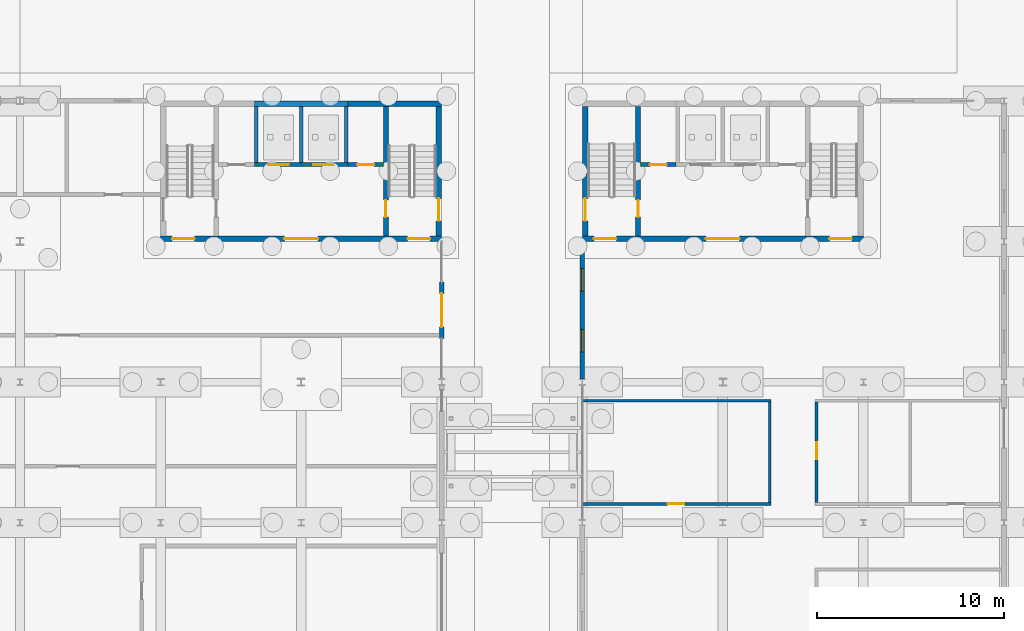
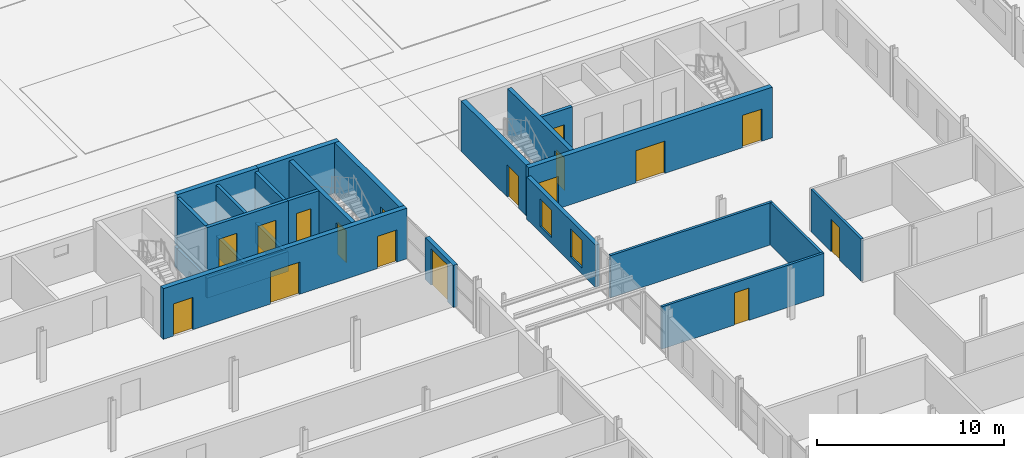
# One storey, part 87 of 130: 25 walls, 17 doors, 2 windows, 19 openings.
"""IFC4 building model written with IfcOpenShell, lengths in metres."""

from ifc_helpers import new_model, si_unit, direction, frame, frame_2d, origin, place, context, subcontext, project, spatial, rectangle, extrude, material, layer, layer_set, type_object, element, fill, save


model = new_model("IFC4")

# Units and contexts
model_context = context("Model", 3, precision=1e-05, world=origin(), true_north=direction((0.0, 1.0)))
body_context = subcontext(model_context, "Body", "Model", "MODEL_VIEW")
ifc_project = project(units=[si_unit("LENGTHUNIT", "METRE"), si_unit("AREAUNIT", "SQUARE_METRE"), si_unit("VOLUMEUNIT", "CUBIC_METRE"), si_unit("PLANEANGLEUNIT", "RADIAN"), si_unit("MASSUNIT", "GRAM", prefix="KILO")], contexts=[model_context])

# Site, building, storey
site_placement = place(None, origin())
site = spatial("IfcSite", under=ifc_project, at=site_placement, CompositionType="ELEMENT")
building_placement = place(site_placement, origin())
building = spatial("IfcBuilding", under=site, at=building_placement, Name="Parallax Yard Mobility Hub", CompositionType="ELEMENT")
storey_placement = place(building_placement, origin())
storey = spatial("IfcBuildingStorey", under=building, at=storey_placement, Name="L00", CompositionType="ELEMENT", Elevation=0.0)

# Wall, openings, doors
ifc_material_1 = material(Name="Concrete fc' 35 MPa", Category="concrete")
ifc_layer_1 = layer(ifc_material_1, 0.300048828125)
ifc_layer_set_1 = layer_set([ifc_layer_1], Name="Concrete fc' 35 MPa core wall 300")
wall_type_1 = type_object("IfcWallType", Name="Concrete fc' 35 MPa core wall 300", PredefinedType="SHEAR", material=ifc_layer_set_1)
wall_1_placement = place(storey_placement, frame((142.5, 45.14990234375, 0.0), z_axis=(0.0, 0.0, 1.0), x_axis=(-1.0, 0.0, 0.0)))
wall_1 = element("IfcWall", 1, at=wall_1_placement, inside=storey, type_object=wall_type_1, Name="Core C6-E entry wall level L00", PredefinedType="SHEAR", context=body_context, shape_type="SweptSolid", body=[
    extrude(rectangle(XDim=15.0, YDim=0.300048828125, at=frame_2d((7.5, 0.0))), origin(), (0.0, 0.0, 1.0), 3.300048828125),
])
opening_1_placement = place(wall_1_placement, frame((13.179931640625, 0.0, 0.0)))
opening_1 = element("IfcOpeningElement", 2, at=opening_1_placement, cuts=wall_1, Name="Opening L00-D754", PredefinedType="OPENING", context=body_context, shape_type="SweptSolid", body=[
    extrude(rectangle(XDim=1.199951171875, YDim=2.10009765625, at=frame_2d((0.60009765625, 1.050048828125))), frame((0.0, 0.16015625, 0.0), z_axis=(0.0, -1.0, 0.0), x_axis=(1.0, 0.0, 0.0)), (0.0, 0.0, 1.0), 0.320068359375),
])
opening_2_placement = place(wall_1_placement, frame((0.6201171875, 0.0, 0.0)))
opening_2 = element("IfcOpeningElement", 3, at=opening_2_placement, cuts=wall_1, Name="Opening L00-D755", PredefinedType="OPENING", context=body_context, shape_type="SweptSolid", body=[
    extrude(rectangle(XDim=1.199951171875, YDim=2.10009765625, at=frame_2d((0.60009765625, 1.050048828125))), frame((0.0, 0.16015625, 0.0), z_axis=(0.0, -1.0, 0.0), x_axis=(1.0, 0.0, 0.0)), (0.0, 0.0, 1.0), 0.320068359375),
])
opening_3_placement = place(wall_1_placement, frame((6.60009765625, 0.0, 0.0)))
opening_3 = element("IfcOpeningElement", 4, at=opening_3_placement, cuts=wall_1, Name="Opening L00-D756", PredefinedType="OPENING", context=body_context, shape_type="SweptSolid", body=[
    extrude(rectangle(XDim=1.800048828125, YDim=2.10009765625, at=frame_2d((0.89990234375, 1.050048828125))), frame((0.0, 0.16015625, 0.0), z_axis=(0.0, -1.0, 0.0), x_axis=(1.0, 0.0, 0.0)), (0.0, 0.0, 1.0), 0.320068359375),
])
ifc_material_2 = material(Name="Hollow metal steel door and frame", Category="steel")
door_type_1 = type_object("IfcDoorType", Name="Core door 1200 x 2100 FD90", OperationType="NOTDEFINED", PredefinedType="DOOR", material=ifc_material_2)
door_1_placement = place(opening_1_placement, origin())
door_1 = element("IfcDoor", 5, at=door_1_placement, inside=storey, type_object=door_type_1, Name="Stair deck door L00-D754, core C6-E level L00", OperationType="SINGLE_SWING_RIGHT", OverallHeight=2.10009765625, OverallWidth=1.199951171875, PredefinedType="DOOR", context=body_context, shape_type="SweptSolid", body=[
    extrude(rectangle(XDim=1.199951171875, YDim=2.10009765625, at=frame_2d((0.60009765625, 1.050048828125))), frame((0.0, 0.02490234375, 0.0), z_axis=(0.0, -1.0, 0.0), x_axis=(1.0, 0.0, 0.0)), (0.0, 0.0, 1.0), 0.050048828125),
])
fill(opening_1, door_1)
door_2_placement = place(opening_2_placement, origin())
door_2 = element("IfcDoor", 6, at=door_2_placement, inside=storey, type_object=door_type_1, Name="Stair deck door L00-D755, core C6-E level L00", OperationType="SINGLE_SWING_LEFT", OverallHeight=2.10009765625, OverallWidth=1.199951171875, PredefinedType="DOOR", context=body_context, shape_type="SweptSolid", body=[
    extrude(rectangle(XDim=1.199951171875, YDim=2.10009765625, at=frame_2d((0.60009765625, 1.050048828125))), frame((0.0, 0.02490234375, 0.0), z_axis=(0.0, -1.0, 0.0), x_axis=(1.0, 0.0, 0.0)), (0.0, 0.0, 1.0), 0.050048828125),
])
fill(opening_2, door_2)
door_type_2 = type_object("IfcDoorType", Name="Core double door 1800 x 2100 FD90", OperationType="NOTDEFINED", PredefinedType="DOOR", material=ifc_material_2)
door_3_placement = place(opening_3_placement, origin())
door_3 = element("IfcDoor", 7, at=door_3_placement, inside=storey, type_object=door_type_2, Name="Lift lobby door L00-D756, core C6-E level L00", OperationType="DOUBLE_DOOR_SINGLE_SWING", OverallHeight=2.10009765625, OverallWidth=1.800048828125, PredefinedType="DOOR", context=body_context, shape_type="SweptSolid", body=[
    extrude(rectangle(XDim=1.800048828125, YDim=2.10009765625, at=frame_2d((0.89990234375, 1.050048828125))), frame((0.0, 0.02490234375, 0.0), z_axis=(0.0, -1.0, 0.0), x_axis=(1.0, 0.0, 0.0)), (0.0, 0.0, 1.0), 0.050048828125),
])
fill(opening_3, door_3)

# Walls
for number, where, z_axis, x_axis, name in (
    (8, (132.5, 52.35009765625, 0.0), (0.0, 0.0, 1.0), (1.0, 0.0, 0.0), "Core C6-E back wall part 2 level L00"),
    (9, (137.5, 52.35009765625, 0.0), (0.0, 0.0, 1.0), (1.0, 0.0, 0.0), "Core C6-E back wall part 3 level L00"),
):
    element("IfcWall", number, at=place(storey_placement, frame(where, z_axis=z_axis, x_axis=x_axis)), inside=storey, type_object=wall_type_1, Name=name, PredefinedType="SHEAR", context=body_context, shape_type="SweptSolid", body=[
        extrude(rectangle(XDim=5.0, YDim=0.300048828125, at=frame_2d((2.5, 0.0))), origin(), (0.0, 0.0, 1.0), 3.300048828125),
    ])

# Wall, opening, door
wall_2_placement = place(storey_placement, frame((142.35009765625, 52.199951171875, 0.0), z_axis=(0.0, 0.0, 1.0), x_axis=(0.0, -1.0, 0.0)))
wall_2 = element("IfcWall", 10, at=wall_2_placement, inside=storey, type_object=wall_type_1, Name="Core C6-E east-side end wall level L00", PredefinedType="SHEAR", context=body_context, shape_type="SweptSolid", body=[
    extrude(rectangle(XDim=6.89990234375, YDim=0.300048828125, at=frame_2d((3.449951171875, 0.0))), origin(), (0.0, 0.0, 1.0), 3.300048828125),
])
opening_4_placement = place(wall_2_placement, frame((4.89990234375, 0.0, 0.0)))
opening_4 = element("IfcOpeningElement", 11, at=opening_4_placement, cuts=wall_2, Name="Opening L00-D764", PredefinedType="OPENING", context=body_context, shape_type="SweptSolid", body=[
    extrude(rectangle(XDim=1.199951171875, YDim=2.10009765625, at=frame_2d((0.60009765625, 1.050048828125))), frame((0.0, 0.16015625, 0.0), z_axis=(0.0, -1.0, 0.0), x_axis=(1.0, 0.0, 0.0)), (0.0, 0.0, 1.0), 0.320068359375),
])
door_4_placement = place(opening_4_placement, origin())
door_4 = element("IfcDoor", 12, at=door_4_placement, inside=storey, type_object=door_type_1, Name="Stair exit door L00-D764, core C6-E level L00", OperationType="SINGLE_SWING_RIGHT", OverallHeight=2.10009765625, OverallWidth=1.199951171875, PredefinedType="DOOR", context=body_context, shape_type="SweptSolid", body=[
    extrude(rectangle(XDim=1.199951171875, YDim=2.10009765625, at=frame_2d((0.60009765625, 1.050048828125))), frame((0.0, 0.02490234375, 0.0), z_axis=(0.0, -1.0, 0.0), x_axis=(1.0, 0.0, 0.0)), (0.0, 0.0, 1.0), 0.050048828125),
])
fill(opening_4, door_4)

# Wall
wall_3_placement = place(storey_placement, frame((132.5, 52.35009765625, -1.5), z_axis=(0.0, 0.0, 1.0), x_axis=(1.0, 0.0, 0.0)))
element("IfcWall", 13, at=wall_3_placement, inside=storey, type_object=wall_type_1, Name="Core C6-E lift pit wall back (shaft group 1)", PredefinedType="SHEAR", context=body_context, shape_type="SweptSolid", body=[
    extrude(rectangle(XDim=5.0, YDim=0.300048828125, at=frame_2d((2.5, 0.0))), origin(), (0.0, 0.0, 1.0), 1.300048828125),
])

# Wall, openings, doors
wall_4_placement = place(storey_placement, frame((165.0, 45.14990234375, 0.0), z_axis=(0.0, 0.0, 1.0), x_axis=(-1.0, 0.0, 0.0)))
wall_4 = element("IfcWall", 14, at=wall_4_placement, inside=storey, type_object=wall_type_1, Name="Core C5 entry wall level L00", PredefinedType="SHEAR", context=body_context, shape_type="SweptSolid", body=[
    extrude(rectangle(XDim=15.0, YDim=0.300048828125, at=frame_2d((7.5, 0.0))), origin(), (0.0, 0.0, 1.0), 3.300048828125),
])
opening_5_placement = place(wall_4_placement, frame((13.179931640625, 0.0, 0.0)))
opening_5 = element("IfcOpeningElement", 15, at=opening_5_placement, cuts=wall_4, Name="Opening L00-D765", PredefinedType="OPENING", context=body_context, shape_type="SweptSolid", body=[
    extrude(rectangle(XDim=1.199951171875, YDim=2.10009765625, at=frame_2d((0.60009765625, 1.050048828125))), frame((0.0, 0.16015625, 0.0), z_axis=(0.0, -1.0, 0.0), x_axis=(1.0, 0.0, 0.0)), (0.0, 0.0, 1.0), 0.320068359375),
])
opening_6_placement = place(wall_4_placement, frame((0.6201171875, 0.0, 0.0)))
opening_6 = element("IfcOpeningElement", 16, at=opening_6_placement, cuts=wall_4, Name="Opening L00-D766", PredefinedType="OPENING", context=body_context, shape_type="SweptSolid", body=[
    extrude(rectangle(XDim=1.199951171875, YDim=2.10009765625, at=frame_2d((0.60009765625, 1.050048828125))), frame((0.0, 0.16015625, 0.0), z_axis=(0.0, -1.0, 0.0), x_axis=(1.0, 0.0, 0.0)), (0.0, 0.0, 1.0), 0.320068359375),
])
opening_7_placement = place(wall_4_placement, frame((6.60009765625, 0.0, 0.0)))
opening_7 = element("IfcOpeningElement", 17, at=opening_7_placement, cuts=wall_4, Name="Opening L00-D767", PredefinedType="OPENING", context=body_context, shape_type="SweptSolid", body=[
    extrude(rectangle(XDim=1.800048828125, YDim=2.10009765625, at=frame_2d((0.89990234375, 1.050048828125))), frame((0.0, 0.16015625, 0.0), z_axis=(0.0, -1.0, 0.0), x_axis=(1.0, 0.0, 0.0)), (0.0, 0.0, 1.0), 0.320068359375),
])
door_5_placement = place(opening_5_placement, origin())
door_5 = element("IfcDoor", 18, at=door_5_placement, inside=storey, type_object=door_type_1, Name="Stair deck door L00-D765, core C5 level L00", OperationType="SINGLE_SWING_RIGHT", OverallHeight=2.10009765625, OverallWidth=1.199951171875, PredefinedType="DOOR", context=body_context, shape_type="SweptSolid", body=[
    extrude(rectangle(XDim=1.199951171875, YDim=2.10009765625, at=frame_2d((0.60009765625, 1.050048828125))), frame((0.0, 0.02490234375, 0.0), z_axis=(0.0, -1.0, 0.0), x_axis=(1.0, 0.0, 0.0)), (0.0, 0.0, 1.0), 0.050048828125),
])
fill(opening_5, door_5)
door_6_placement = place(opening_6_placement, origin())
door_6 = element("IfcDoor", 19, at=door_6_placement, inside=storey, type_object=door_type_1, Name="Stair deck door L00-D766, core C5 level L00", OperationType="SINGLE_SWING_LEFT", OverallHeight=2.10009765625, OverallWidth=1.199951171875, PredefinedType="DOOR", context=body_context, shape_type="SweptSolid", body=[
    extrude(rectangle(XDim=1.199951171875, YDim=2.10009765625, at=frame_2d((0.60009765625, 1.050048828125))), frame((0.0, 0.02490234375, 0.0), z_axis=(0.0, -1.0, 0.0), x_axis=(1.0, 0.0, 0.0)), (0.0, 0.0, 1.0), 0.050048828125),
])
fill(opening_6, door_6)
door_7_placement = place(opening_7_placement, origin())
door_7 = element("IfcDoor", 20, at=door_7_placement, inside=storey, type_object=door_type_2, Name="Lift lobby door L00-D767, core C5 level L00", OperationType="DOUBLE_DOOR_SINGLE_SWING", OverallHeight=2.10009765625, OverallWidth=1.800048828125, PredefinedType="DOOR", context=body_context, shape_type="SweptSolid", body=[
    extrude(rectangle(XDim=1.800048828125, YDim=2.10009765625, at=frame_2d((0.89990234375, 1.050048828125))), frame((0.0, 0.02490234375, 0.0), z_axis=(0.0, -1.0, 0.0), x_axis=(1.0, 0.0, 0.0)), (0.0, 0.0, 1.0), 0.050048828125),
])
fill(opening_7, door_7)

# Wall, opening, door
wall_5_placement = place(storey_placement, frame((150.14990234375, 45.300048828125, 0.0), z_axis=(0.0, 0.0, 1.0), x_axis=(0.0, 1.0, 0.0)))
wall_5 = element("IfcWall", 21, at=wall_5_placement, inside=storey, type_object=wall_type_1, Name="Core C5 west-side end wall level L00", PredefinedType="SHEAR", context=body_context, shape_type="SweptSolid", body=[
    extrude(rectangle(XDim=6.89990234375, YDim=0.300048828125, at=frame_2d((3.449951171875, 0.0))), origin(), (0.0, 0.0, 1.0), 3.300048828125),
])
opening_8_placement = place(wall_5_placement, frame((0.800048828125, 0.0, 0.0)))
opening_8 = element("IfcOpeningElement", 22, at=opening_8_placement, cuts=wall_5, Name="Opening L00-D774", PredefinedType="OPENING", context=body_context, shape_type="SweptSolid", body=[
    extrude(rectangle(XDim=1.199951171875, YDim=2.10009765625, at=frame_2d((0.60009765625, 1.050048828125))), frame((0.0, 0.16015625, 0.0), z_axis=(0.0, -1.0, 0.0), x_axis=(1.0, 0.0, 0.0)), (0.0, 0.0, 1.0), 0.320068359375),
])
door_8_placement = place(opening_8_placement, origin())
door_8 = element("IfcDoor", 23, at=door_8_placement, inside=storey, type_object=door_type_1, Name="Stair exit door L00-D774, core C5 level L00", OperationType="SINGLE_SWING_RIGHT", OverallHeight=2.10009765625, OverallWidth=1.199951171875, PredefinedType="DOOR", context=body_context, shape_type="SweptSolid", body=[
    extrude(rectangle(XDim=1.199951171875, YDim=2.10009765625, at=frame_2d((0.60009765625, 1.050048828125))), frame((0.0, 0.02490234375, 0.0), z_axis=(0.0, -1.0, 0.0), x_axis=(1.0, 0.0, 0.0)), (0.0, 0.0, 1.0), 0.050048828125),
])
fill(opening_8, door_8)

# Wall, openings, doors
ifc_layer_2 = layer(ifc_material_1, 0.199951171875)
ifc_layer_set_2 = layer_set([ifc_layer_2], Name="Concrete fc' 35 MPa internal core wall 200")
wall_type_2 = type_object("IfcWallType", Name="Concrete fc' 35 MPa internal core wall 200", PredefinedType="STANDARD", material=ifc_layer_set_2)
wall_6_placement = place(storey_placement, frame((132.5, 49.10009765625, 0.0), z_axis=(0.0, 0.0, 1.0), x_axis=(1.0, 0.0, 0.0)))
wall_6 = element("IfcWall", 24, at=wall_6_placement, inside=storey, type_object=wall_type_2, Name="Core C6-E lift front 2 part 2 level L00", PredefinedType="STANDARD", context=body_context, shape_type="SweptSolid", body=[
    extrude(rectangle(XDim=5.0, YDim=0.199951171875, at=frame_2d((2.5, 0.0))), origin(), (0.0, 0.0, 1.0), 3.10009765625),
])
opening_9_placement = place(wall_6_placement, frame((0.75, 0.0, 0.0)))
opening_9 = element("IfcOpeningElement", 25, at=opening_9_placement, cuts=wall_6, Name="Opening L00-D759", PredefinedType="OPENING", context=body_context, shape_type="SweptSolid", body=[
    extrude(rectangle(XDim=1.10009765625, YDim=2.10009765625, at=frame_2d((0.550048828125, 1.050048828125))), frame((0.0, 0.10986328125, 0.0), z_axis=(0.0, -1.0, 0.0), x_axis=(1.0, 0.0, 0.0)), (0.0, 0.0, 1.0), 0.219970703125),
])
opening_10_placement = place(wall_6_placement, frame((3.14990234375, 0.0, 0.0)))
opening_10 = element("IfcOpeningElement", 26, at=opening_10_placement, cuts=wall_6, Name="Opening L00-D760", PredefinedType="OPENING", context=body_context, shape_type="SweptSolid", body=[
    extrude(rectangle(XDim=1.10009765625, YDim=2.10009765625, at=frame_2d((0.550048828125, 1.050048828125))), frame((0.0, 0.10986328125, 0.0), z_axis=(0.0, -1.0, 0.0), x_axis=(1.0, 0.0, 0.0)), (0.0, 0.0, 1.0), 0.219970703125),
])
ifc_material_3 = material(Name="Stainless steel sliding door and frame", Category="steel")
door_type_3 = type_object("IfcDoorType", Name="Lift landing door 1100 x 2100 FD90", OperationType="DOUBLE_DOOR_SLIDING", PredefinedType="DOOR", material=ifc_material_3)
door_9_placement = place(opening_9_placement, origin())
door_9 = element("IfcDoor", 27, at=door_9_placement, inside=storey, type_object=door_type_3, Name="Lift landing door L00-D759, core C6-E level L00", OperationType="DOUBLE_DOOR_SLIDING", OverallHeight=2.10009765625, OverallWidth=1.10009765625, PredefinedType="DOOR", context=body_context, shape_type="SweptSolid", body=[
    extrude(rectangle(XDim=1.10009765625, YDim=2.10009765625, at=frame_2d((0.550048828125, 1.050048828125))), frame((0.0, 0.02490234375, 0.0), z_axis=(0.0, -1.0, 0.0), x_axis=(1.0, 0.0, 0.0)), (0.0, 0.0, 1.0), 0.050048828125),
])
fill(opening_9, door_9)
door_10_placement = place(opening_10_placement, origin())
door_10 = element("IfcDoor", 28, at=door_10_placement, inside=storey, type_object=door_type_3, Name="Lift landing door L00-D760, core C6-E level L00", OperationType="DOUBLE_DOOR_SLIDING", OverallHeight=2.10009765625, OverallWidth=1.10009765625, PredefinedType="DOOR", context=body_context, shape_type="SweptSolid", body=[
    extrude(rectangle(XDim=1.10009765625, YDim=2.10009765625, at=frame_2d((0.550048828125, 1.050048828125))), frame((0.0, 0.02490234375, 0.0), z_axis=(0.0, -1.0, 0.0), x_axis=(1.0, 0.0, 0.0)), (0.0, 0.0, 1.0), 0.050048828125),
])
fill(opening_10, door_10)

# Wall, opening, door
wall_7_placement = place(storey_placement, frame((139.39990234375, 49.10009765625, 0.0), z_axis=(0.0, 0.0, 1.0), x_axis=(-1.0, 0.0, 0.0)))
wall_7 = element("IfcWall", 29, at=wall_7_placement, inside=storey, type_object=wall_type_2, Name="Core C6-E lift front 3 part 3 level L00", PredefinedType="STANDARD", context=body_context, shape_type="SweptSolid", body=[
    extrude(rectangle(XDim=1.89990234375, YDim=0.199951171875, at=frame_2d((0.949951171875, 0.0))), origin(), (0.0, 0.0, 1.0), 3.10009765625),
])
opening_11_placement = place(wall_7_placement, frame((0.5, 0.0, 0.0)))
opening_11 = element("IfcOpeningElement", 30, at=opening_11_placement, cuts=wall_7, Name="Opening L00-D762", PredefinedType="OPENING", context=body_context, shape_type="SweptSolid", body=[
    extrude(rectangle(XDim=0.89990234375, YDim=2.10009765625, at=frame_2d((0.449951171875, 1.050048828125))), frame((0.0, 0.10986328125, 0.0), z_axis=(0.0, -1.0, 0.0), x_axis=(1.0, 0.0, 0.0)), (0.0, 0.0, 1.0), 0.219970703125),
])
door_type_4 = type_object("IfcDoorType", Name="Riser door 900 x 2100 FD90", OperationType="NOTDEFINED", PredefinedType="DOOR", material=ifc_material_2)
door_11_placement = place(opening_11_placement, origin())
door_11 = element("IfcDoor", 31, at=door_11_placement, inside=storey, type_object=door_type_4, Name="Riser door L00-D762, core C6-E level L00", OperationType="SINGLE_SWING_LEFT", OverallHeight=2.10009765625, OverallWidth=0.89990234375, PredefinedType="DOOR", context=body_context, shape_type="SweptSolid", body=[
    extrude(rectangle(XDim=0.89990234375, YDim=2.10009765625, at=frame_2d((0.449951171875, 1.050048828125))), frame((0.0, 0.02490234375, 0.0), z_axis=(0.0, -1.0, 0.0), x_axis=(1.0, 0.0, 0.0)), (0.0, 0.0, 1.0), 0.050048828125),
])
fill(opening_11, door_11)

# Walls
for number, where, z_axis, x_axis, name in (
    (32, (132.60009765625, 49.199951171875, 0.0), (0.0, 0.0, 1.0), (0.0, 1.0, 0.0), "Core C6-E lift wall 1 part 1 level L00"),
    (33, (135.0, 49.199951171875, 0.0), (0.0, 0.0, 1.0), (0.0, 1.0, 0.0), "Core C6-E lift wall 2 part 2 level L00"),
    (34, (137.39990234375, 49.199951171875, 0.0), (0.0, 0.0, 1.0), (0.0, 1.0, 0.0), "Core C6-E lift wall 3 part 3 level L00"),
):
    element("IfcWall", number, at=place(storey_placement, frame(where, z_axis=z_axis, x_axis=x_axis)), inside=storey, type_object=wall_type_2, Name=name, PredefinedType="STANDARD", context=body_context, shape_type="SweptSolid", body=[
        extrude(rectangle(XDim=3.0, YDim=0.199951171875, at=frame_2d((1.5, 0.0))), origin(), (0.0, 0.0, 1.0), 3.10009765625),
    ])
wall_8_placement = place(storey_placement, frame((132.5, 49.10009765625, -1.5), z_axis=(0.0, 0.0, 1.0), x_axis=(1.0, 0.0, 0.0)))
element("IfcWall", 35, at=wall_8_placement, inside=storey, type_object=wall_type_2, Name="Core C6-E lift pit wall front (shaft group 1)", PredefinedType="STANDARD", context=body_context, shape_type="SweptSolid", body=[
    extrude(rectangle(XDim=5.0, YDim=0.199951171875, at=frame_2d((2.5, 0.0))), origin(), (0.0, 0.0, 1.0), 1.300048828125),
])
for number, where, z_axis, x_axis, name in (
    (36, (132.60009765625, 49.199951171875, -1.5), (0.0, 0.0, 1.0), (0.0, 1.0, 0.0), "Core C6-E lift pit wall side 1 (shaft group 1)"),
    (37, (135.0, 49.199951171875, -1.5), (0.0, 0.0, 1.0), (0.0, 1.0, 0.0), "Core C6-E lift pit wall side 2 (shaft group 1)"),
    (38, (137.39990234375, 49.199951171875, -1.5), (0.0, 0.0, 1.0), (0.0, 1.0, 0.0), "Core C6-E lift pit wall side 3 (shaft group 1)"),
):
    element("IfcWall", number, at=place(storey_placement, frame(where, z_axis=z_axis, x_axis=x_axis)), inside=storey, type_object=wall_type_2, Name=name, PredefinedType="STANDARD", context=body_context, shape_type="SweptSolid", body=[
        extrude(rectangle(XDim=3.0, YDim=0.199951171875, at=frame_2d((1.5, 0.0))), origin(), (0.0, 0.0, 1.0), 1.300048828125),
    ])

# Wall, opening, door
wall_9_placement = place(storey_placement, frame((155.0, 49.10009765625, 0.0), z_axis=(0.0, 0.0, 1.0), x_axis=(-1.0, 0.0, 0.0)))
wall_9 = element("IfcWall", 39, at=wall_9_placement, inside=storey, type_object=wall_type_2, Name="Core C5 lift front 1 part 1 level L00", PredefinedType="STANDARD", context=body_context, shape_type="SweptSolid", body=[
    extrude(rectangle(XDim=1.89990234375, YDim=0.199951171875, at=frame_2d((0.949951171875, 0.0))), origin(), (0.0, 0.0, 1.0), 3.10009765625),
])
opening_12_placement = place(wall_9_placement, frame((0.5, 0.0, 0.0)))
opening_12 = element("IfcOpeningElement", 40, at=opening_12_placement, cuts=wall_9, Name="Opening L00-D772", PredefinedType="OPENING", context=body_context, shape_type="SweptSolid", body=[
    extrude(rectangle(XDim=0.89990234375, YDim=2.10009765625, at=frame_2d((0.449951171875, 1.050048828125))), frame((0.0, 0.10986328125, 0.0), z_axis=(0.0, -1.0, 0.0), x_axis=(1.0, 0.0, 0.0)), (0.0, 0.0, 1.0), 0.219970703125),
])
door_12_placement = place(opening_12_placement, origin())
door_12 = element("IfcDoor", 41, at=door_12_placement, inside=storey, type_object=door_type_4, Name="Riser door L00-D772, core C5 level L00", OperationType="SINGLE_SWING_RIGHT", OverallHeight=2.10009765625, OverallWidth=0.89990234375, PredefinedType="DOOR", context=body_context, shape_type="SweptSolid", body=[
    extrude(rectangle(XDim=0.89990234375, YDim=2.10009765625, at=frame_2d((0.449951171875, 1.050048828125))), frame((0.0, 0.02490234375, 0.0), z_axis=(0.0, -1.0, 0.0), x_axis=(1.0, 0.0, 0.0)), (0.0, 0.0, 1.0), 0.050048828125),
])
fill(opening_12, door_12)

ifc_layer_3 = layer(ifc_material_1, 0.25)
ifc_layer_set_3 = layer_set([ifc_layer_3], Name="Concrete fc' 35 MPa stair enclosure wall 250")
wall_type_3 = type_object("IfcWallType", Name="Concrete fc' 35 MPa stair enclosure wall 250", PredefinedType="STANDARD", material=ifc_layer_set_3)
wall_10_placement = place(storey_placement, frame((139.52490234375, 52.199951171875, 0.0), z_axis=(0.0, 0.0, 1.0), x_axis=(0.0, -1.0, 0.0)))
wall_10 = element("IfcWall", 42, at=wall_10_placement, inside=storey, type_object=wall_type_3, Name="Core C6-E stair 2 partition level L00", PredefinedType="STANDARD", context=body_context, shape_type="SweptSolid", body=[
    extrude(rectangle(XDim=6.89990234375, YDim=0.25, at=frame_2d((3.449951171875, 0.0))), origin(), (0.0, 0.0, 1.0), 3.10009765625),
])
opening_13_placement = place(wall_10_placement, frame((5.0, 0.0, 0.0)))
opening_13 = element("IfcOpeningElement", 43, at=opening_13_placement, cuts=wall_10, Name="Opening L00-D758", PredefinedType="OPENING", context=body_context, shape_type="SweptSolid", body=[
    extrude(rectangle(XDim=0.89990234375, YDim=2.10009765625, at=frame_2d((0.449951171875, 1.050048828125))), frame((0.0, 0.135009765625, 0.0), z_axis=(0.0, -1.0, 0.0), x_axis=(1.0, 0.0, 0.0)), (0.0, 0.0, 1.0), 0.27001953125),
])
door_type_5 = type_object("IfcDoorType", Name="Core door 900 x 2100 FD90", OperationType="NOTDEFINED", PredefinedType="DOOR", material=ifc_material_2)
door_13_placement = place(opening_13_placement, origin())
door_13 = element("IfcDoor", 44, at=door_13_placement, inside=storey, type_object=door_type_5, Name="Stair lobby door L00-D758, core C6-E level L00", OperationType="SINGLE_SWING_RIGHT", OverallHeight=2.10009765625, OverallWidth=0.89990234375, PredefinedType="DOOR", context=body_context, shape_type="SweptSolid", body=[
    extrude(rectangle(XDim=0.89990234375, YDim=2.10009765625, at=frame_2d((0.449951171875, 1.050048828125))), frame((0.0, 0.02490234375, 0.0), z_axis=(0.0, -1.0, 0.0), x_axis=(1.0, 0.0, 0.0)), (0.0, 0.0, 1.0), 0.050048828125),
])
fill(opening_13, door_13)

wall_11_placement = place(storey_placement, frame((152.97509765625, 45.300048828125, 0.0), z_axis=(0.0, 0.0, 1.0), x_axis=(0.0, 1.0, 0.0)))
wall_11 = element("IfcWall", 45, at=wall_11_placement, inside=storey, type_object=wall_type_3, Name="Core C5 stair 1 partition level L00", PredefinedType="STANDARD", context=body_context, shape_type="SweptSolid", body=[
    extrude(rectangle(XDim=6.89990234375, YDim=0.25, at=frame_2d((3.449951171875, 0.0))), origin(), (0.0, 0.0, 1.0), 3.10009765625),
])
opening_14_placement = place(wall_11_placement, frame((1.0, 0.0, 0.0)))
opening_14 = element("IfcOpeningElement", 46, at=opening_14_placement, cuts=wall_11, Name="Opening L00-D768", PredefinedType="OPENING", context=body_context, shape_type="SweptSolid", body=[
    extrude(rectangle(XDim=0.89990234375, YDim=2.10009765625, at=frame_2d((0.449951171875, 1.050048828125))), frame((0.0, 0.135009765625, 0.0), z_axis=(0.0, -1.0, 0.0), x_axis=(1.0, 0.0, 0.0)), (0.0, 0.0, 1.0), 0.27001953125),
])
door_14_placement = place(opening_14_placement, origin())
door_14 = element("IfcDoor", 47, at=door_14_placement, inside=storey, type_object=door_type_5, Name="Stair lobby door L00-D768, core C5 level L00", OperationType="SINGLE_SWING_LEFT", OverallHeight=2.10009765625, OverallWidth=0.89990234375, PredefinedType="DOOR", context=body_context, shape_type="SweptSolid", body=[
    extrude(rectangle(XDim=0.89990234375, YDim=2.10009765625, at=frame_2d((0.449951171875, 1.050048828125))), frame((0.0, 0.02490234375, 0.0), z_axis=(0.0, -1.0, 0.0), x_axis=(1.0, 0.0, 0.0)), (0.0, 0.0, 1.0), 0.050048828125),
])
fill(opening_14, door_14)

# Wall, openings, windows
ifc_layer_4 = layer(ifc_material_1, 0.25)
ifc_layer_set_4 = layer_set([ifc_layer_4], Name="Exterior wall, Concrete fc' 35 MPa precast, 250 with insulation lining")
wall_type_4 = type_object("IfcWallType", Name="Exterior wall, Concrete fc' 35 MPa precast, 250 with insulation lining", PredefinedType="SOLIDWALL", material=ifc_layer_set_4)
wall_12_placement = place(storey_placement, frame((150.0, 37.658935546875, 0.0), z_axis=(0.0, 0.0, 1.0), x_axis=(0.0, 1.0, 0.0)))
wall_12 = element("IfcWall", 48, at=wall_12_placement, inside=storey, type_object=wall_type_4, Name="Bicycle and shared-mobility hall west wall bay 5 level L00", PredefinedType="SOLIDWALL", context=body_context, shape_type="SweptSolid", body=[
    extrude(rectangle(XDim=7.341064453125, YDim=0.25, at=frame_2d((3.67041015625, 0.0))), origin(), (0.0, 0.0, 1.0), 2.7509765625),
])
opening_15_placement = place(wall_12_placement, frame((1.447021484375, 0.0, 0.39990234375)))
opening_15 = element("IfcOpeningElement", 49, at=opening_15_placement, cuts=wall_12, Name="Opening LV7", PredefinedType="OPENING", context=body_context, shape_type="SweptSolid", body=[
    extrude(rectangle(XDim=1.199951171875, YDim=1.800048828125, at=frame_2d((0.60009765625, 0.89990234375))), frame((0.0, 0.135009765625, 0.0), z_axis=(0.0, -1.0, 0.0), x_axis=(1.0, 0.0, 0.0)), (0.0, 0.0, 1.0), 0.27001953125),
])
opening_16_placement = place(wall_12_placement, frame((4.694091796875, 0.0, 0.39990234375)))
opening_16 = element("IfcOpeningElement", 50, at=opening_16_placement, cuts=wall_12, Name="Opening LV7", PredefinedType="OPENING", context=body_context, shape_type="SweptSolid", body=[
    extrude(rectangle(XDim=1.199951171875, YDim=1.800048828125, at=frame_2d((0.60009765625, 0.89990234375))), frame((0.0, 0.135009765625, 0.0), z_axis=(0.0, -1.0, 0.0), x_axis=(1.0, 0.0, 0.0)), (0.0, 0.0, 1.0), 0.27001953125),
])
ifc_material_4 = material(Name="Extruded aluminium storm louvre blades in a powder-coated frame", Category="aluminium")
window_type = type_object("IfcWindowType", Name="Store louvre 1200 x 1800", PartitioningType="SINGLE_PANEL", PredefinedType="WINDOW", material=ifc_material_4)
window_1_placement = place(opening_15_placement, origin())
window_1 = element("IfcWindow", 51, at=window_1_placement, inside=storey, type_object=window_type, Name="LV7 louvre level L00", OverallHeight=1.800048828125, OverallWidth=1.199951171875, PartitioningType="SINGLE_PANEL", PredefinedType="WINDOW", context=body_context, shape_type="SweptSolid", body=[
    extrude(rectangle(XDim=1.199951171875, YDim=1.800048828125, at=frame_2d((0.60009765625, 0.89990234375))), frame((0.0, 0.030029296875, 0.0), z_axis=(0.0, -1.0, 0.0), x_axis=(1.0, 0.0, 0.0)), (0.0, 0.0, 1.0), 0.06005859375),
])
fill(opening_15, window_1)
window_2_placement = place(opening_16_placement, origin())
window_2 = element("IfcWindow", 52, at=window_2_placement, inside=storey, type_object=window_type, Name="LV7 louvre level L00", OverallHeight=1.800048828125, OverallWidth=1.199951171875, PartitioningType="SINGLE_PANEL", PredefinedType="WINDOW", context=body_context, shape_type="SweptSolid", body=[
    extrude(rectangle(XDim=1.199951171875, YDim=1.800048828125, at=frame_2d((0.60009765625, 0.89990234375))), frame((0.0, 0.030029296875, 0.0), z_axis=(0.0, -1.0, 0.0), x_axis=(1.0, 0.0, 0.0)), (0.0, 0.0, 1.0), 0.06005859375),
])
fill(opening_16, window_2)

# Wall, opening, door
wall_13_placement = place(storey_placement, frame((142.5, 39.830810546875, 0.0), z_axis=(0.0, 0.0, 1.0), x_axis=(0.0, 1.0, 0.0)))
wall_13 = element("IfcWall", 53, at=wall_13_placement, inside=storey, type_object=wall_type_4, Name="Mobility service centre and workshops east door pier bay 5 level L00", PredefinedType="SOLIDWALL", context=body_context, shape_type="SweptSolid", body=[
    extrude(rectangle(XDim=3.0, YDim=0.25, at=frame_2d((1.5, 0.0))), origin(), (0.0, 0.0, 1.0), 2.7509765625),
])
opening_17_placement = place(wall_13_placement, frame((0.60009765625, 0.0, 0.0)))
opening_17 = element("IfcOpeningElement", 54, at=opening_17_placement, cuts=wall_13, Name="Opening L00-D127", PredefinedType="OPENING", context=body_context, shape_type="SweptSolid", body=[
    extrude(rectangle(XDim=1.800048828125, YDim=2.39990234375, at=frame_2d((0.89990234375, 1.199951171875))), frame((0.0, 0.135009765625, 0.0), z_axis=(0.0, -1.0, 0.0), x_axis=(1.0, 0.0, 0.0)), (0.0, 0.0, 1.0), 0.27001953125),
])
ifc_material_5 = material(Name="Aluminium frame with laminated glass leaves", Category="aluminium")
door_type_6 = type_object("IfcDoorType", Name="Entrance door double 1800 x 2400", OperationType="DOUBLE_DOOR_SINGLE_SWING", PredefinedType="DOOR", material=ifc_material_5)
door_15_placement = place(opening_17_placement, origin())
door_15 = element("IfcDoor", 55, at=door_15_placement, inside=storey, type_object=door_type_6, Name="Entrance door L00-D127", OperationType="DOUBLE_DOOR_SINGLE_SWING", OverallHeight=2.39990234375, OverallWidth=1.800048828125, PredefinedType="DOOR", context=body_context, shape_type="SweptSolid", body=[
    extrude(rectangle(XDim=1.800048828125, YDim=2.39990234375, at=frame_2d((0.89990234375, 1.199951171875))), frame((0.0, 0.02490234375, 0.0), z_axis=(0.0, -1.0, 0.0), x_axis=(1.0, 0.0, 0.0)), (0.0, 0.0, 1.0), 0.050048828125),
])
fill(opening_17, door_15)

ifc_material_6 = material(Name="Plasterboard partition on light framing")
ifc_layer_5 = layer(ifc_material_6, 0.14990234375)
ifc_layer_set_5 = layer_set([ifc_layer_5], Name="Partition 150 mm")
wall_type_5 = type_object("IfcWallType", Name="Partition 150 mm", PredefinedType="PARTITIONING", material=ifc_layer_set_5)
wall_14_placement = place(storey_placement, frame((150.074951171875, 31.0, 0.0), z_axis=(0.0, 0.0, 1.0), x_axis=(1.0, 0.0, 0.0)))
wall_14 = element("IfcWall", 56, at=wall_14_placement, inside=storey, type_object=wall_type_5, Name="Partition 17 level L00", PredefinedType="PARTITIONING", context=body_context, shape_type="SweptSolid", body=[
    extrude(rectangle(XDim=10.0, YDim=0.14990234375, at=frame_2d((5.0, 0.0))), origin(), (0.0, 0.0, 1.0), 2.7509765625),
])
opening_18_placement = place(wall_14_placement, frame((4.47509765625, 0.0, 0.0)))
opening_18 = element("IfcOpeningElement", 57, at=opening_18_placement, cuts=wall_14, Name="Opening L00-D215", PredefinedType="OPENING", context=body_context, shape_type="SweptSolid", body=[
    extrude(rectangle(XDim=0.89990234375, YDim=2.10009765625, at=frame_2d((0.449951171875, 1.050048828125))), frame((0.0, 0.0849609375, 0.0), z_axis=(0.0, -1.0, 0.0), x_axis=(1.0, 0.0, 0.0)), (0.0, 0.0, 1.0), 0.169921875),
])
ifc_material_7 = material(Name="Solid timber door leaf", Category="wood")
door_type_7 = type_object("IfcDoorType", Name="Interior door 900 mm", OperationType="NOTDEFINED", PredefinedType="DOOR", material=ifc_material_7)
door_16_placement = place(opening_18_placement, origin())
door_16 = element("IfcDoor", 58, at=door_16_placement, inside=storey, type_object=door_type_7, Name="Door L00-D215 Cycle Training Room", OperationType="SINGLE_SWING_LEFT", OverallHeight=2.10009765625, OverallWidth=0.89990234375, PredefinedType="DOOR", context=body_context, shape_type="SweptSolid", body=[
    extrude(rectangle(XDim=0.89990234375, YDim=2.10009765625, at=frame_2d((0.449951171875, 1.050048828125))), frame((0.0, 0.02490234375, 0.0), z_axis=(0.0, -1.0, 0.0), x_axis=(1.0, 0.0, 0.0)), (0.0, 0.0, 1.0), 0.050048828125),
])
fill(opening_18, door_16)

# Walls
wall_15_placement = place(storey_placement, frame((150.074951171875, 36.5, 0.0), z_axis=(0.0, 0.0, 1.0), x_axis=(1.0, 0.0, 0.0)))
element("IfcWall", 59, at=wall_15_placement, inside=storey, type_object=wall_type_5, Name="Partition 25 level L00", PredefinedType="PARTITIONING", context=body_context, shape_type="SweptSolid", body=[
    extrude(rectangle(XDim=10.0, YDim=0.14990234375, at=frame_2d((5.0, 0.0))), origin(), (0.0, 0.0, 1.0), 2.7509765625),
])
wall_16_placement = place(storey_placement, frame((160.0, 31.074951171875, 0.0), z_axis=(0.0, 0.0, 1.0), x_axis=(0.0, 1.0, 0.0)))
element("IfcWall", 60, at=wall_16_placement, inside=storey, type_object=wall_type_5, Name="Partition 108 level L00", PredefinedType="PARTITIONING", context=body_context, shape_type="SweptSolid", body=[
    extrude(rectangle(XDim=5.35009765625, YDim=0.14990234375, at=frame_2d((2.675048828125, 0.0))), origin(), (0.0, 0.0, 1.0), 2.75390625),
])

# Wall, opening, door
wall_17_placement = place(storey_placement, frame((162.5, 31.074951171875, 0.0), z_axis=(0.0, 0.0, 1.0), x_axis=(0.0, 1.0, 0.0)))
wall_17 = element("IfcWall", 61, at=wall_17_placement, inside=storey, type_object=wall_type_5, Name="Partition 110 level L00", PredefinedType="PARTITIONING", context=body_context, shape_type="SweptSolid", body=[
    extrude(rectangle(XDim=5.35009765625, YDim=0.14990234375, at=frame_2d((2.675048828125, 0.0))), origin(), (0.0, 0.0, 1.0), 2.75390625),
])
opening_19_placement = place(wall_17_placement, frame((2.300048828125, 0.0, 0.0)))
opening_19 = element("IfcOpeningElement", 62, at=opening_19_placement, cuts=wall_17, Name="Opening L00-D219", PredefinedType="OPENING", context=body_context, shape_type="SweptSolid", body=[
    extrude(rectangle(XDim=0.89990234375, YDim=2.10009765625, at=frame_2d((0.449951171875, 1.050048828125))), frame((0.0, 0.0849609375, 0.0), z_axis=(0.0, -1.0, 0.0), x_axis=(1.0, 0.0, 0.0)), (0.0, 0.0, 1.0), 0.169921875),
])
door_17_placement = place(opening_19_placement, origin())
door_17 = element("IfcDoor", 63, at=door_17_placement, inside=storey, type_object=door_type_7, Name="Door L00-D219 Men's Shower Room", OperationType="SINGLE_SWING_RIGHT", OverallHeight=2.10009765625, OverallWidth=0.89990234375, PredefinedType="DOOR", context=body_context, shape_type="SweptSolid", body=[
    extrude(rectangle(XDim=0.89990234375, YDim=2.10009765625, at=frame_2d((0.449951171875, 1.050048828125))), frame((0.0, 0.02490234375, 0.0), z_axis=(0.0, -1.0, 0.0), x_axis=(1.0, 0.0, 0.0)), (0.0, 0.0, 1.0), 0.050048828125),
])
fill(opening_19, door_17)

save(model, "model.ifc")
